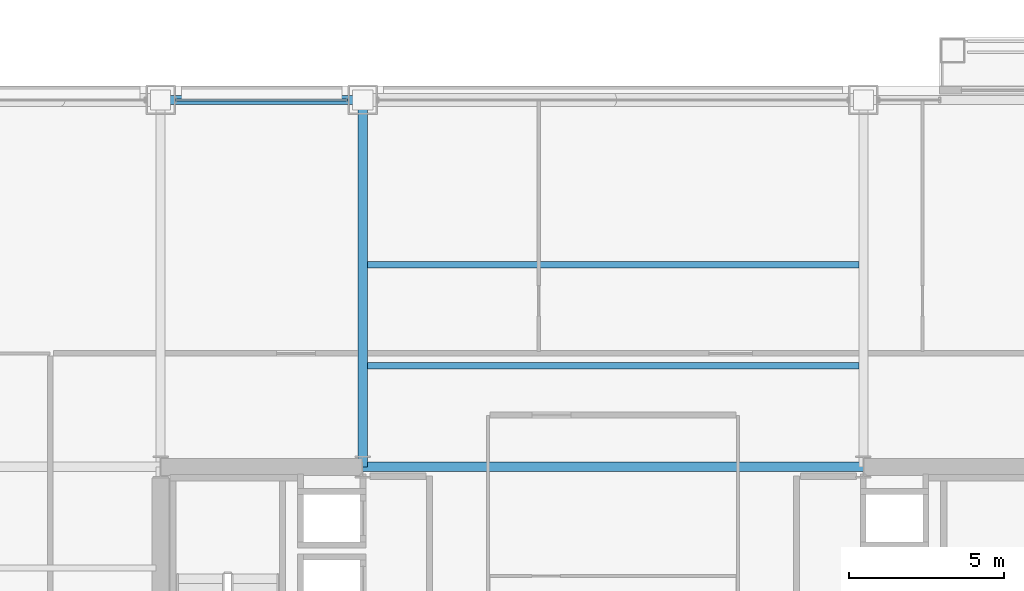
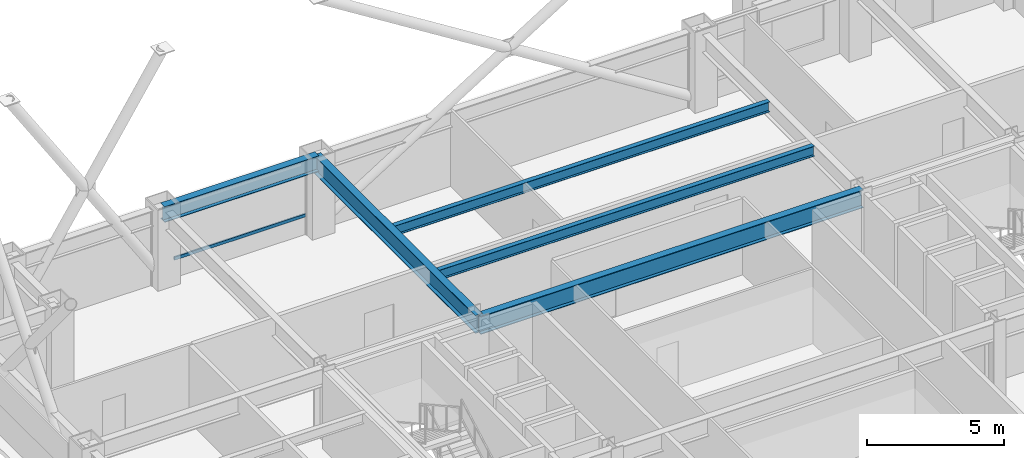
# One storey, part 19 of 33: 5 beams, 1 member, 1 element without a shape of its own.
"""IFC4 building model written with IfcOpenShell, lengths in metres."""

from ifc_helpers import new_model, si_unit, direction, frame, origin, origin_2d, place, context, subcontext, project, spatial, hollow_rectangle, i_section, extrude, material, layer, layer_set, material_profile, profile_set, type_object, element, aggregate, save


model = new_model("IFC4")

# Units and contexts
model_context = context("Model", 3, precision=1e-05, world=origin(), true_north=direction((0.0, 1.0)))
body_context = subcontext(model_context, "Body", "Model", "MODEL_VIEW")
ifc_project = project(units=[si_unit("LENGTHUNIT", "METRE"), si_unit("AREAUNIT", "SQUARE_METRE"), si_unit("VOLUMEUNIT", "CUBIC_METRE"), si_unit("PLANEANGLEUNIT", "RADIAN"), si_unit("MASSUNIT", "GRAM", prefix="KILO")], contexts=[model_context])

# Site, building, storey
site_placement = place(None, origin())
site = spatial("IfcSite", under=ifc_project, at=site_placement, CompositionType="ELEMENT")
building_placement = place(site_placement, origin())
building = spatial("IfcBuilding", under=site, at=building_placement, Name="Brelmoor Portico Tower", CompositionType="ELEMENT")
storey_placement = place(building_placement, frame((0.0, 0.0, 34.800048828125)))
storey = spatial("IfcBuildingStorey", under=building, at=storey_placement, Name="L08", CompositionType="ELEMENT", Elevation=34.800048828125)

# Beams
ifc_material_1 = material(Name="Steel Q355B", Category="steel")
ifc_material_profile_1 = material_profile(ifc_material_1, i_section(OverallWidth=0.199951171875, OverallDepth=0.449951171875, WebThickness=0.009033203125, FlangeThickness=0.013916015625, at=origin_2d()), Name="HN 450x200x9x14")
ifc_profile_set_1 = profile_set([ifc_material_profile_1], Name="Steel Q355B")
beam_type_1 = type_object("IfcBeamType", Name="BM-JS-450", PredefinedType="JOIST", material=ifc_profile_set_1)
for number, where, z_axis, x_axis, name in (
    (1, (-7.89990234375, 13.0, 3.175048828125), (1.0, 0.0, 0.0), (0.0, 1.0, 0.0), "L08 Secondary Composite Joist JS-C03"),
    (2, (-7.89990234375, 16.25, 3.175048828125), (1.0, 0.0, 0.0), (0.0, 1.0, 0.0), "L08 Secondary Composite Joist JS-C04"),
):
    element("IfcBeam", number, at=place(storey_placement, frame(where, z_axis=z_axis, x_axis=x_axis)), inside=storey, type_object=beam_type_1, Name=name, PredefinedType="JOIST", context=body_context, shape_type="SweptSolid", body=[
        extrude(i_section(OverallWidth=0.199951171875, OverallDepth=0.449951171875, WebThickness=0.009033203125, FlangeThickness=0.013916015625, at=origin_2d()), origin(), (0.0, 0.0, 1.0), 15.7998046875),
    ])
ifc_material_profile_2 = material_profile(ifc_material_1, i_section(OverallWidth=0.300048828125, OverallDepth=0.800048828125, WebThickness=0.013916015625, FlangeThickness=0.02587890625, at=origin_2d()), Name="HN 800x300x14x26")
ifc_profile_set_2 = profile_set([ifc_material_profile_2], Name="Steel Q355B")
beam_type_2 = type_object("IfcBeamType", Name="BM-PG-800", PredefinedType="BEAM", material=ifc_profile_set_2)
beam_1_placement = place(storey_placement, frame((-8.050048828125, 9.75, 3.0), z_axis=(0.0, 1.0, 0.0), x_axis=(-1.0, 0.0, 0.0)))
element("IfcBeam", 3, at=beam_1_placement, inside=storey, type_object=beam_type_2, Name="L08 Primary Floor Girder PG-08", PredefinedType="BEAM", context=body_context, shape_type="SweptSolid", body=[
    extrude(i_section(OverallWidth=0.300048828125, OverallDepth=0.800048828125, WebThickness=0.013916015625, FlangeThickness=0.02587890625, at=origin_2d()), origin(), (0.0, 0.0, 1.0), 11.800048828125),
])
beam_2_placement = place(storey_placement, frame((-8.050048828125, 9.75, 3.0), z_axis=(1.0, 0.0, 0.0), x_axis=(0.0, 1.0, 0.0)))
element("IfcBeam", 4, at=beam_2_placement, inside=storey, type_object=beam_type_2, Name="L08 Primary Floor Girder PG-29", PredefinedType="BEAM", context=body_context, shape_type="SweptSolid", body=[
    extrude(i_section(OverallWidth=0.300048828125, OverallDepth=0.800048828125, WebThickness=0.013916015625, FlangeThickness=0.02587890625, at=origin_2d()), origin(), (0.0, 0.0, 1.0), 16.10009765625),
])
ifc_material_profile_3 = material_profile(ifc_material_1, i_section(OverallWidth=0.300048828125, OverallDepth=0.699951171875, WebThickness=0.012939453125, FlangeThickness=0.02392578125, at=origin_2d()), Name="HN 700x300x13x24")
ifc_profile_set_3 = profile_set([ifc_material_profile_3], Name="Steel Q355B")
beam_type_3 = type_object("IfcBeamType", Name="BM-SP-700", PredefinedType="SPANDREL", material=ifc_profile_set_3)
beam_3_placement = place(storey_placement, frame((-14.550048828125, 21.550048828125, 3.050048828125), z_axis=(1.0, 0.0, 0.0), x_axis=(0.0, 1.0, 0.0)))
element("IfcBeam", 5, at=beam_3_placement, inside=storey, type_object=beam_type_3, Name="L08 Perimeter Spandrel Beam SP-11", PredefinedType="SPANDREL", context=body_context, shape_type="SweptSolid", body=[
    extrude(i_section(OverallWidth=0.300048828125, OverallDepth=0.699951171875, WebThickness=0.012939453125, FlangeThickness=0.02392578125, at=origin_2d()), origin(), (0.0, 0.0, 1.0), 6.5),
])

# Curtain wall, member
ifc_material_2 = material(Name="Anodised Aluminium Alloy 6063-T6", Category="aluminium")
ifc_layer = layer(ifc_material_2, 0.179931640625)
ifc_layer_set = layer_set([ifc_layer], Name="Anodised Aluminium Alloy 6063-T6")
curtain_wall_type = type_object("IfcCurtainWallType", Name="CW-TOWER-Z1", PredefinedType="NOTDEFINED", material=ifc_layer_set)
curtain_wall_placement = place(storey_placement, origin())
curtain_wall = element("IfcCurtainWall", 6, at=curtain_wall_placement, inside=storey, type_object=curtain_wall_type, Name="L08 Curtain Wall CW-L08-2L-2", PredefinedType="NOTDEFINED")
ifc_material_profile_4 = material_profile(ifc_material_2, hollow_rectangle(XDim=0.06494140625, YDim=0.139892578125, WallThickness=0.00390625, at=origin_2d()), Name="ALU TRANSOM 65x140")
ifc_profile_set_4 = profile_set([ifc_material_profile_4], Name="Anodised Aluminium Alloy 6063-T6")
member_type = type_object("IfcMemberType", Name="MB-CW-TRAN-140", PredefinedType="USERDEFINED", material=ifc_profile_set_4)
member_placement = place(storey_placement, frame((-14.06494140625, 21.550048828125, 0.849853515625), z_axis=(1.0, 0.0, 0.0), x_axis=(0.0, 1.0, 0.0)))
member = element("IfcMember", 7, at=member_placement, type_object=member_type, Name="CW-L08-2L-2 Transom 1-00", ObjectType="TRANSOM", PredefinedType="USERDEFINED", context=body_context, shape_type="SweptSolid", body=[
    extrude(hollow_rectangle(XDim=0.06494140625, YDim=0.139892578125, WallThickness=0.00390625, at=origin_2d()), origin(), (0.0, 0.0, 1.0), 5.530029296875),
])
aggregate(curtain_wall, [member])

save(model, "model.ifc")
